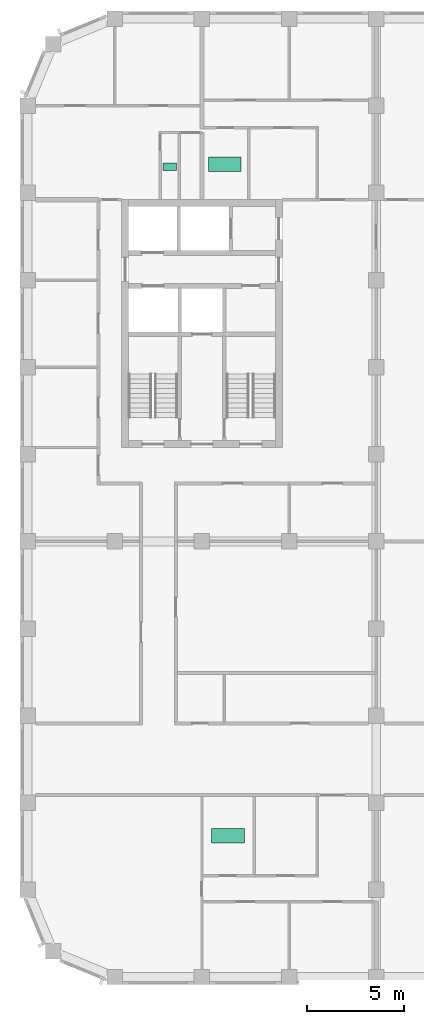
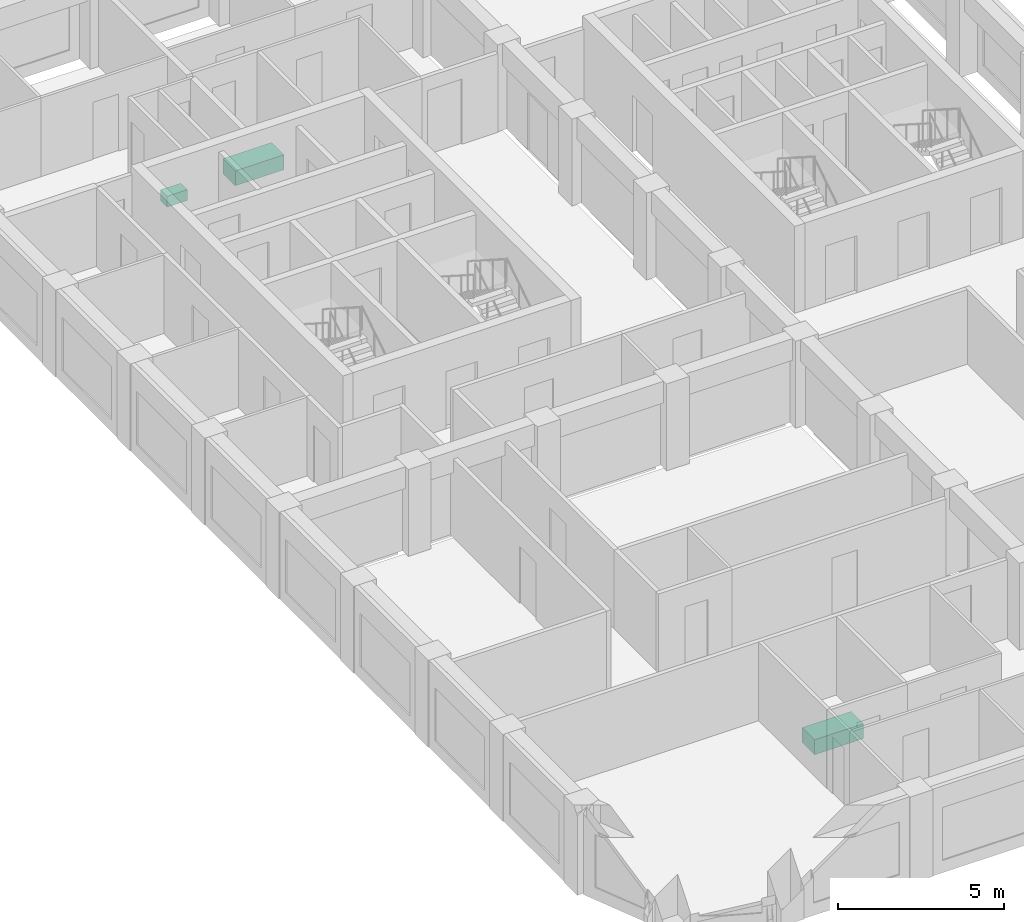
# One storey, part 9 of 9: 3 sanitary terminals.
"""IFC4 building model written with IfcOpenShell, lengths in metres."""

from ifc_helpers import new_model, si_unit, direction, frame, origin, origin_2d, place, context, subcontext, project, spatial, rectangle, extrude, material, type_object, element, save


model = new_model("IFC4")

# Units and contexts
model_context = context("Model", 3, precision=1e-05, world=origin(), true_north=direction((0.0, 1.0)))
body_context = subcontext(model_context, "Body", "Model", "MODEL_VIEW")
ifc_project = project(units=[si_unit("LENGTHUNIT", "METRE"), si_unit("AREAUNIT", "SQUARE_METRE"), si_unit("VOLUMEUNIT", "CUBIC_METRE"), si_unit("PLANEANGLEUNIT", "RADIAN"), si_unit("MASSUNIT", "GRAM", prefix="KILO")], contexts=[model_context])

# Site, building, storey
site_placement = place(None, origin())
site = spatial("IfcSite", under=ifc_project, at=site_placement, CompositionType="ELEMENT")
building_placement = place(site_placement, origin())
building = spatial("IfcBuilding", under=site, at=building_placement, Name="Girih Gate Residences", CompositionType="ELEMENT")
storey_placement = place(building_placement, frame((0.0, 0.0, 222.89501953125)))
storey = spatial("IfcBuildingStorey", under=building, at=storey_placement, Name="L62", CompositionType="ELEMENT", Elevation=222.89501953125)

# Sanitary terminals
ifc_material_1 = material(Name="Acrylic")
sanitary_terminal_type_1 = type_object("IfcSanitaryTerminalType", Name="Bath 1700", PredefinedType="BATH", material=ifc_material_1)
for number, where, z_axis, x_axis, name in (
    (1, (10.35400390625, 7.303955078125, 0.0), (0.0, 0.0, 1.0), (1.0, 0.0, 0.0), "Bath 1700 L62"),
    (2, (10.177978515625, 41.97412109375, 0.0), (0.0, 0.0, 1.0), (1.0, 0.0, 0.0), "Bath 1700 L62"),
):
    element("IfcSanitaryTerminal", number, at=place(storey_placement, frame(where, z_axis=z_axis, x_axis=x_axis)), inside=storey, type_object=sanitary_terminal_type_1, Name=name, PredefinedType="BATH", context=body_context, shape_type="SweptSolid", body=[
        extrude(rectangle(XDim=1.699951171875, YDim=0.75, at=origin_2d()), origin(), (0.0, 0.0, 1.0), 0.550048828125),
    ])
ifc_material_2 = material(Name="Vitreous china")
sanitary_terminal_type_2 = type_object("IfcSanitaryTerminalType", Name="WC pan", PredefinedType="TOILETPAN", material=ifc_material_2)
sanitary_terminal_placement = place(storey_placement, frame((7.337890625, 41.85400390625, 0.0), z_axis=(0.0, 0.0, 1.0), x_axis=(1.0, 0.0, 0.0)))
element("IfcSanitaryTerminal", 3, at=sanitary_terminal_placement, inside=storey, type_object=sanitary_terminal_type_2, Name="WC pan L62", PredefinedType="TOILETPAN", context=body_context, shape_type="SweptSolid", body=[
    extrude(rectangle(XDim=0.699951171875, YDim=0.39990234375, at=origin_2d()), origin(), (0.0, 0.0, 1.0), 0.39990234375),
])

save(model, "model.ifc")
